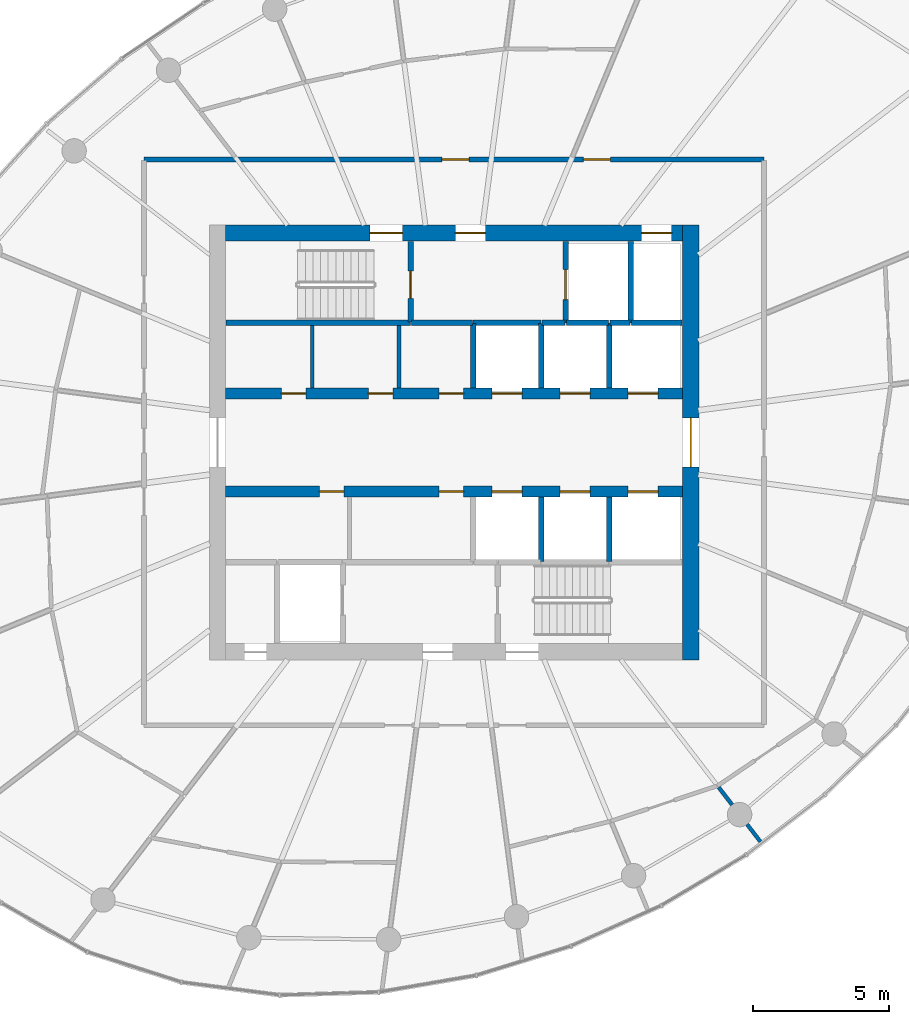
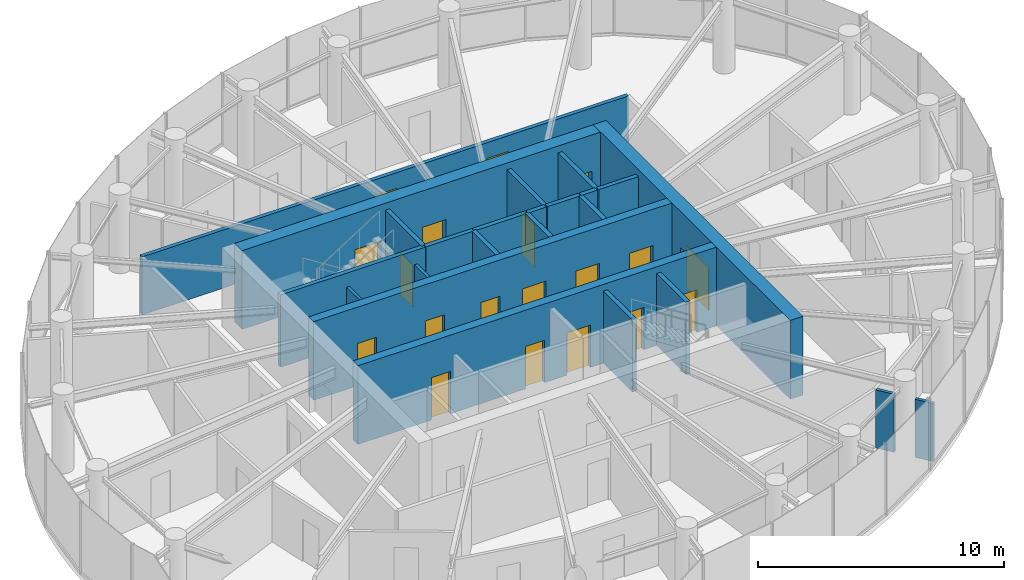
# One storey, part 11 of 15: 24 walls, 19 doors, 19 openings.
"""IFC4 building model written with IfcOpenShell, lengths in metres."""

from ifc_helpers import new_model, si_unit, direction, frame, frame_2d, origin, place, context, subcontext, project, spatial, rectangle, extrude, source, transform, mapped, material, layer, layer_set, type_object, element, fill, save


model = new_model("IFC4")

# Units and contexts
model_context = context("Model", 3, precision=1e-05, world=origin(), true_north=direction((0.0, 1.0)))
body_context = subcontext(model_context, "Body", "Model", "MODEL_VIEW")
ifc_project = project(units=[si_unit("LENGTHUNIT", "METRE"), si_unit("AREAUNIT", "SQUARE_METRE"), si_unit("VOLUMEUNIT", "CUBIC_METRE"), si_unit("PLANEANGLEUNIT", "RADIAN"), si_unit("MASSUNIT", "GRAM", prefix="KILO")], contexts=[model_context])

# Site, building, storey
site_placement = place(None, origin())
site = spatial("IfcSite", under=ifc_project, at=site_placement, CompositionType="ELEMENT")
building_placement = place(site_placement, origin())
building = spatial("IfcBuilding", under=site, at=building_placement, Name="Spindrift Exchange Tower", CompositionType="ELEMENT")
storey_placement = place(building_placement, frame((0.0, 0.0, 195.5)))
storey = spatial("IfcBuildingStorey", under=building, at=storey_placement, Name="L47", CompositionType="ELEMENT", Elevation=195.5)

# Wall, opening, door
ifc_material_1 = material(Name="Concrete 50 MPa", Category="concrete")
ifc_layer_1 = layer(ifc_material_1, 0.60009765625)
ifc_layer_set_1 = layer_set([ifc_layer_1], Name="RC Core Wall 600 Concrete 50 MPa")
wall_type_1 = type_object("IfcWallType", Name="RC Core Wall 600 Concrete 50 MPa", PredefinedType="SHEAR", material=ifc_layer_set_1)
wall_1_placement = place(storey_placement, frame((60.699951171875, 40.0, 0.0), z_axis=(0.0, 0.0, 1.0), x_axis=(0.0, 1.0, 0.0)))
wall_1 = element("IfcWall", 1, at=wall_1_placement, inside=storey, type_object=wall_type_1, Name="Core wall E L47", PredefinedType="SHEAR", context=body_context, shape_type="SweptSolid", body=[
    extrude(rectangle(XDim=16.0, YDim=0.60009765625, at=frame_2d((8.0, 0.0))), origin(), (0.0, 0.0, 1.0), 3.89990234375),
])
opening_1_placement = place(wall_1_placement, frame((7.10009765625, 0.0, 0.0)))
opening_1 = element("IfcOpeningElement", 2, at=opening_1_placement, cuts=wall_1, Name="Opening L47-D2", PredefinedType="OPENING", context=body_context, shape_type="SweptSolid", body=[
    extrude(rectangle(XDim=1.800048828125, YDim=2.10009765625, at=frame_2d((0.89990234375, 1.050048828125))), frame((0.0, 0.31005859375, 0.0), z_axis=(0.0, -1.0, 0.0), x_axis=(1.0, 0.0, 0.0)), (0.0, 0.0, 1.0), 0.6201171875),
])
ifc_material_2 = material(Name="Timber-core fire door", Category="wood")
door_type_1 = type_object("IfcDoorType", Name="DR-LOBBY-1800", OperationType="NOTDEFINED", PredefinedType="DOOR", material=ifc_material_2)
shared_shape_1 = source(origin(), body_context, "Body", "SweptSolid", [
    extrude(rectangle(XDim=1.800048828125, YDim=2.10009765625, at=frame_2d((0.89990234375, 1.050048828125))), frame((0.0, 0.02490234375, 0.0), z_axis=(0.0, -1.0, 0.0), x_axis=(1.0, 0.0, 0.0)), (0.0, 0.0, 1.0), 0.050048828125),
])
door_1_placement = place(opening_1_placement, origin())
door_1 = element("IfcDoor", 3, at=door_1_placement, inside=storey, type_object=door_type_1, Name="L47 Lobby door 2", OperationType="SINGLE_SWING_RIGHT", OverallHeight=2.10009765625, OverallWidth=1.800048828125, PredefinedType="DOOR", context=body_context, shape_type="MappedRepresentation", body=[
    mapped(shared_shape_1, transform((0.0, 0.0, 0.0), scale=1.0)),
])
fill(opening_1, door_1)

# Wall, openings, doors
wall_2_placement = place(storey_placement, frame((60.39990234375, 55.699951171875, 0.0), z_axis=(0.0, 0.0, 1.0), x_axis=(-1.0, 0.0, 0.0)))
wall_2 = element("IfcWall", 4, at=wall_2_placement, inside=storey, type_object=wall_type_1, Name="Core wall N L47", PredefinedType="SHEAR", context=body_context, shape_type="SweptSolid", body=[
    extrude(rectangle(XDim=16.7998046875, YDim=0.60009765625, at=frame_2d((8.39990234375, 0.0))), origin(), (0.0, 0.0, 1.0), 3.89990234375),
])
opening_2_placement = place(wall_2_placement, frame((0.39990234375, 0.0, 0.0)))
opening_2 = element("IfcOpeningElement", 5, at=opening_2_placement, cuts=wall_2, Name="Opening L47-D11", PredefinedType="OPENING", context=body_context, shape_type="SweptSolid", body=[
    extrude(rectangle(XDim=1.10009765625, YDim=2.10009765625, at=frame_2d((0.550048828125, 1.050048828125))), frame((0.0, 0.31005859375, 0.0), z_axis=(0.0, -1.0, 0.0), x_axis=(1.0, 0.0, 0.0)), (0.0, 0.0, 1.0), 0.6201171875),
])
opening_3_placement = place(wall_2_placement, frame((10.300048828125, 0.0, 0.0)))
opening_3 = element("IfcOpeningElement", 6, at=opening_3_placement, cuts=wall_2, Name="Opening L47-D12", PredefinedType="OPENING", context=body_context, shape_type="SweptSolid", body=[
    extrude(rectangle(XDim=1.199951171875, YDim=2.10009765625, at=frame_2d((0.60009765625, 1.050048828125))), frame((0.0, 0.31005859375, 0.0), z_axis=(0.0, -1.0, 0.0), x_axis=(1.0, 0.0, 0.0)), (0.0, 0.0, 1.0), 0.6201171875),
])
opening_4_placement = place(wall_2_placement, frame((7.25, 0.0, 0.0)))
opening_4 = element("IfcOpeningElement", 7, at=opening_4_placement, cuts=wall_2, Name="Opening L47-D14", PredefinedType="OPENING", context=body_context, shape_type="SweptSolid", body=[
    extrude(rectangle(XDim=1.10009765625, YDim=2.10009765625, at=frame_2d((0.550048828125, 1.050048828125))), frame((0.0, 0.31005859375, 0.0), z_axis=(0.0, -1.0, 0.0), x_axis=(1.0, 0.0, 0.0)), (0.0, 0.0, 1.0), 0.6201171875),
])
ifc_material_3 = material(Name="Stainless steel landing door", Category="steel")
door_type_2 = type_object("IfcDoorType", Name="DR-LANDING-1100-SL", OperationType="DOUBLE_DOOR_SLIDING", PredefinedType="USERDEFINED", material=ifc_material_3)
shared_shape_2 = source(origin(), body_context, "Body", "SweptSolid", [
    extrude(rectangle(XDim=1.10009765625, YDim=2.10009765625, at=frame_2d((0.550048828125, 1.050048828125))), frame((0.0, 0.02490234375, 0.0), z_axis=(0.0, -1.0, 0.0), x_axis=(1.0, 0.0, 0.0)), (0.0, 0.0, 1.0), 0.050048828125),
])
door_2_placement = place(opening_2_placement, origin())
door_2 = element("IfcDoor", 8, at=door_2_placement, inside=storey, type_object=door_type_2, Name="L47 Lift landing door 11", ObjectType="LANDING DOOR", OperationType="DOUBLE_DOOR_SLIDING", OverallHeight=2.10009765625, OverallWidth=1.10009765625, PredefinedType="USERDEFINED", context=body_context, shape_type="MappedRepresentation", body=[
    mapped(shared_shape_2, transform((0.0, 0.0, 0.0), scale=1.0)),
])
fill(opening_2, door_2)
ifc_material_4 = material(Name="Steel fire door", Category="steel")
door_type_3 = type_object("IfcDoorType", Name="DR-STAIR-1200", OperationType="NOTDEFINED", PredefinedType="DOOR", material=ifc_material_4)
shared_shape_3 = source(origin(), body_context, "Body", "SweptSolid", [
    extrude(rectangle(XDim=1.199951171875, YDim=2.10009765625, at=frame_2d((0.60009765625, 1.050048828125))), frame((0.0, 0.02490234375, 0.0), z_axis=(0.0, -1.0, 0.0), x_axis=(1.0, 0.0, 0.0)), (0.0, 0.0, 1.0), 0.050048828125),
])
door_3_placement = place(opening_3_placement, origin())
door_3 = element("IfcDoor", 9, at=door_3_placement, inside=storey, type_object=door_type_3, Name="L47 Stair door 12", OperationType="SINGLE_SWING_LEFT", OverallHeight=2.10009765625, OverallWidth=1.199951171875, PredefinedType="DOOR", context=body_context, shape_type="MappedRepresentation", body=[
    mapped(shared_shape_3, transform((0.0, 0.0, 0.0), scale=1.0)),
])
fill(opening_3, door_3)
door_type_4 = type_object("IfcDoorType", Name="DR-LOBBY-1100", OperationType="NOTDEFINED", PredefinedType="DOOR", material=ifc_material_2)
shared_shape_4 = source(origin(), body_context, "Body", "SweptSolid", [
    extrude(rectangle(XDim=1.10009765625, YDim=2.10009765625, at=frame_2d((0.550048828125, 1.050048828125))), frame((0.0, 0.02490234375, 0.0), z_axis=(0.0, -1.0, 0.0), x_axis=(1.0, 0.0, 0.0)), (0.0, 0.0, 1.0), 0.050048828125),
])
door_4_placement = place(opening_4_placement, origin())
door_4 = element("IfcDoor", 10, at=door_4_placement, inside=storey, type_object=door_type_4, Name="L47 Lobby door 14", OperationType="SINGLE_SWING_LEFT", OverallHeight=2.10009765625, OverallWidth=1.10009765625, PredefinedType="DOOR", context=body_context, shape_type="MappedRepresentation", body=[
    mapped(shared_shape_4, transform((0.0, 0.0, 0.0), scale=1.0)),
])
fill(opening_4, door_4)

ifc_layer_2 = layer(ifc_material_1, 0.39990234375)
ifc_layer_set_2 = layer_set([ifc_layer_2], Name="RC Spine Wall 400 Concrete 50 MPa")
wall_type_2 = type_object("IfcWallType", Name="RC Spine Wall 400 Concrete 50 MPa", PredefinedType="SHEAR", material=ifc_layer_set_2)
wall_3_placement = place(storey_placement, frame((43.60009765625, 49.800048828125, 0.0), z_axis=(0.0, 0.0, 1.0), x_axis=(1.0, 0.0, 0.0)))
wall_3 = element("IfcWall", 11, at=wall_3_placement, inside=storey, type_object=wall_type_2, Name="Core spine wall N L47", PredefinedType="SHEAR", context=body_context, shape_type="SweptSolid", body=[
    extrude(rectangle(XDim=16.7998046875, YDim=0.39990234375, at=frame_2d((8.39990234375, 0.0))), origin(), (0.0, 0.0, 1.0), 3.89990234375),
])
opening_5_placement = place(wall_3_placement, frame((9.800048828125, 0.0, 0.0)))
opening_5 = element("IfcOpeningElement", 12, at=opening_5_placement, cuts=wall_3, Name="Opening L47-D3", PredefinedType="OPENING", context=body_context, shape_type="SweptSolid", body=[
    extrude(rectangle(XDim=1.10009765625, YDim=2.10009765625, at=frame_2d((0.550048828125, 1.050048828125))), frame((0.0, 0.2099609375, 0.0), z_axis=(0.0, -1.0, 0.0), x_axis=(1.0, 0.0, 0.0)), (0.0, 0.0, 1.0), 0.419921875),
])
opening_6_placement = place(wall_3_placement, frame((12.300048828125, 0.0, 0.0)))
opening_6 = element("IfcOpeningElement", 13, at=opening_6_placement, cuts=wall_3, Name="Opening L47-D4", PredefinedType="OPENING", context=body_context, shape_type="SweptSolid", body=[
    extrude(rectangle(XDim=1.10009765625, YDim=2.10009765625, at=frame_2d((0.550048828125, 1.050048828125))), frame((0.0, 0.2099609375, 0.0), z_axis=(0.0, -1.0, 0.0), x_axis=(1.0, 0.0, 0.0)), (0.0, 0.0, 1.0), 0.419921875),
])
opening_7_placement = place(wall_3_placement, frame((14.800048828125, 0.0, 0.0)))
opening_7 = element("IfcOpeningElement", 14, at=opening_7_placement, cuts=wall_3, Name="Opening L47-D5", PredefinedType="OPENING", context=body_context, shape_type="SweptSolid", body=[
    extrude(rectangle(XDim=1.10009765625, YDim=2.10009765625, at=frame_2d((0.550048828125, 1.050048828125))), frame((0.0, 0.2099609375, 0.0), z_axis=(0.0, -1.0, 0.0), x_axis=(1.0, 0.0, 0.0)), (0.0, 0.0, 1.0), 0.419921875),
])
opening_8_placement = place(wall_3_placement, frame((2.050048828125, 0.0, 0.0)))
opening_8 = element("IfcOpeningElement", 15, at=opening_8_placement, cuts=wall_3, Name="Opening L47-D46", PredefinedType="OPENING", context=body_context, shape_type="SweptSolid", body=[
    extrude(rectangle(XDim=0.89990234375, YDim=2.10009765625, at=frame_2d((0.449951171875, 1.050048828125))), frame((0.0, 0.2099609375, 0.0), z_axis=(0.0, -1.0, 0.0), x_axis=(1.0, 0.0, 0.0)), (0.0, 0.0, 1.0), 0.419921875),
])
opening_9_placement = place(wall_3_placement, frame((5.25, 0.0, 0.0)))
opening_9 = element("IfcOpeningElement", 16, at=opening_9_placement, cuts=wall_3, Name="Opening L47-D47", PredefinedType="OPENING", context=body_context, shape_type="SweptSolid", body=[
    extrude(rectangle(XDim=0.89990234375, YDim=2.10009765625, at=frame_2d((0.449951171875, 1.050048828125))), frame((0.0, 0.2099609375, 0.0), z_axis=(0.0, -1.0, 0.0), x_axis=(1.0, 0.0, 0.0)), (0.0, 0.0, 1.0), 0.419921875),
])
opening_10_placement = place(wall_3_placement, frame((7.85009765625, 0.0, 0.0)))
opening_10 = element("IfcOpeningElement", 17, at=opening_10_placement, cuts=wall_3, Name="Opening L47-D48", PredefinedType="OPENING", context=body_context, shape_type="SweptSolid", body=[
    extrude(rectangle(XDim=0.89990234375, YDim=2.10009765625, at=frame_2d((0.449951171875, 1.050048828125))), frame((0.0, 0.2099609375, 0.0), z_axis=(0.0, -1.0, 0.0), x_axis=(1.0, 0.0, 0.0)), (0.0, 0.0, 1.0), 0.419921875),
])
door_5_placement = place(opening_5_placement, origin())
door_5 = element("IfcDoor", 18, at=door_5_placement, inside=storey, type_object=door_type_2, Name="L47 Lift landing door 3", ObjectType="LANDING DOOR", OperationType="DOUBLE_DOOR_SLIDING", OverallHeight=2.10009765625, OverallWidth=1.10009765625, PredefinedType="USERDEFINED", context=body_context, shape_type="MappedRepresentation", body=[
    mapped(shared_shape_2, transform((0.0, 0.0, 0.0), scale=1.0)),
])
fill(opening_5, door_5)
door_6_placement = place(opening_6_placement, origin())
door_6 = element("IfcDoor", 19, at=door_6_placement, inside=storey, type_object=door_type_2, Name="L47 Lift landing door 4", ObjectType="LANDING DOOR", OperationType="DOUBLE_DOOR_SLIDING", OverallHeight=2.10009765625, OverallWidth=1.10009765625, PredefinedType="USERDEFINED", context=body_context, shape_type="MappedRepresentation", body=[
    mapped(shared_shape_2, transform((0.0, 0.0, 0.0), scale=1.0)),
])
fill(opening_6, door_6)
door_7_placement = place(opening_7_placement, origin())
door_7 = element("IfcDoor", 20, at=door_7_placement, inside=storey, type_object=door_type_2, Name="L47 Lift landing door 5", ObjectType="LANDING DOOR", OperationType="DOUBLE_DOOR_SLIDING", OverallHeight=2.10009765625, OverallWidth=1.10009765625, PredefinedType="USERDEFINED", context=body_context, shape_type="MappedRepresentation", body=[
    mapped(shared_shape_2, transform((0.0, 0.0, 0.0), scale=1.0)),
])
fill(opening_7, door_7)
ifc_material_5 = material(Name="Steel access door", Category="steel")
door_type_5 = type_object("IfcDoorType", Name="DR-RISER-900", OperationType="NOTDEFINED", PredefinedType="DOOR", material=ifc_material_5)
shared_shape_5 = source(origin(), body_context, "Body", "SweptSolid", [
    extrude(rectangle(XDim=0.89990234375, YDim=2.10009765625, at=frame_2d((0.449951171875, 1.050048828125))), frame((0.0, 0.02490234375, 0.0), z_axis=(0.0, -1.0, 0.0), x_axis=(1.0, 0.0, 0.0)), (0.0, 0.0, 1.0), 0.050048828125),
])
door_8_placement = place(opening_8_placement, origin())
door_8 = element("IfcDoor", 21, at=door_8_placement, inside=storey, type_object=door_type_5, Name="L47 Riser door 46", OperationType="SINGLE_SWING_LEFT", OverallHeight=2.10009765625, OverallWidth=0.89990234375, PredefinedType="DOOR", context=body_context, shape_type="MappedRepresentation", body=[
    mapped(shared_shape_5, transform((0.0, 0.0, 0.0), scale=1.0)),
])
fill(opening_8, door_8)
door_9_placement = place(opening_9_placement, origin())
door_9 = element("IfcDoor", 22, at=door_9_placement, inside=storey, type_object=door_type_5, Name="L47 Riser door 47", OperationType="SINGLE_SWING_RIGHT", OverallHeight=2.10009765625, OverallWidth=0.89990234375, PredefinedType="DOOR", context=body_context, shape_type="MappedRepresentation", body=[
    mapped(shared_shape_5, transform((0.0, 0.0, 0.0), scale=1.0)),
])
fill(opening_9, door_9)
door_10_placement = place(opening_10_placement, origin())
door_10 = element("IfcDoor", 23, at=door_10_placement, inside=storey, type_object=door_type_5, Name="L47 Riser door 48", OperationType="SINGLE_SWING_LEFT", OverallHeight=2.10009765625, OverallWidth=0.89990234375, PredefinedType="DOOR", context=body_context, shape_type="MappedRepresentation", body=[
    mapped(shared_shape_5, transform((0.0, 0.0, 0.0), scale=1.0)),
])
fill(opening_10, door_10)

wall_4_placement = place(storey_placement, frame((43.60009765625, 46.199951171875, 0.0), z_axis=(0.0, 0.0, 1.0), x_axis=(1.0, 0.0, 0.0)))
wall_4 = element("IfcWall", 24, at=wall_4_placement, inside=storey, type_object=wall_type_2, Name="Core spine wall S L47", PredefinedType="SHEAR", context=body_context, shape_type="SweptSolid", body=[
    extrude(rectangle(XDim=16.7998046875, YDim=0.39990234375, at=frame_2d((8.39990234375, 0.0))), origin(), (0.0, 0.0, 1.0), 3.89990234375),
])
opening_11_placement = place(wall_4_placement, frame((9.800048828125, 0.0, 0.0)))
opening_11 = element("IfcOpeningElement", 25, at=opening_11_placement, cuts=wall_4, Name="Opening L47-D6", PredefinedType="OPENING", context=body_context, shape_type="SweptSolid", body=[
    extrude(rectangle(XDim=1.10009765625, YDim=2.10009765625, at=frame_2d((0.550048828125, 1.050048828125))), frame((0.0, 0.2099609375, 0.0), z_axis=(0.0, -1.0, 0.0), x_axis=(1.0, 0.0, 0.0)), (0.0, 0.0, 1.0), 0.419921875),
])
opening_12_placement = place(wall_4_placement, frame((12.300048828125, 0.0, 0.0)))
opening_12 = element("IfcOpeningElement", 26, at=opening_12_placement, cuts=wall_4, Name="Opening L47-D7", PredefinedType="OPENING", context=body_context, shape_type="SweptSolid", body=[
    extrude(rectangle(XDim=1.10009765625, YDim=2.10009765625, at=frame_2d((0.550048828125, 1.050048828125))), frame((0.0, 0.2099609375, 0.0), z_axis=(0.0, -1.0, 0.0), x_axis=(1.0, 0.0, 0.0)), (0.0, 0.0, 1.0), 0.419921875),
])
opening_13_placement = place(wall_4_placement, frame((14.800048828125, 0.0, 0.0)))
opening_13 = element("IfcOpeningElement", 27, at=opening_13_placement, cuts=wall_4, Name="Opening L47-D8", PredefinedType="OPENING", context=body_context, shape_type="SweptSolid", body=[
    extrude(rectangle(XDim=1.10009765625, YDim=2.10009765625, at=frame_2d((0.550048828125, 1.050048828125))), frame((0.0, 0.2099609375, 0.0), z_axis=(0.0, -1.0, 0.0), x_axis=(1.0, 0.0, 0.0)), (0.0, 0.0, 1.0), 0.419921875),
])
opening_14_placement = place(wall_4_placement, frame((3.449951171875, 0.0, 0.0)))
opening_14 = element("IfcOpeningElement", 28, at=opening_14_placement, cuts=wall_4, Name="Opening L47-D49", PredefinedType="OPENING", context=body_context, shape_type="SweptSolid", body=[
    extrude(rectangle(XDim=0.89990234375, YDim=2.10009765625, at=frame_2d((0.449951171875, 1.050048828125))), frame((0.0, 0.2099609375, 0.0), z_axis=(0.0, -1.0, 0.0), x_axis=(1.0, 0.0, 0.0)), (0.0, 0.0, 1.0), 0.419921875),
])
opening_15_placement = place(wall_4_placement, frame((7.85009765625, 0.0, 0.0)))
opening_15 = element("IfcOpeningElement", 29, at=opening_15_placement, cuts=wall_4, Name="Opening L47-D50", PredefinedType="OPENING", context=body_context, shape_type="SweptSolid", body=[
    extrude(rectangle(XDim=0.89990234375, YDim=2.10009765625, at=frame_2d((0.449951171875, 1.050048828125))), frame((0.0, 0.2099609375, 0.0), z_axis=(0.0, -1.0, 0.0), x_axis=(1.0, 0.0, 0.0)), (0.0, 0.0, 1.0), 0.419921875),
])
door_11_placement = place(opening_11_placement, origin())
door_11 = element("IfcDoor", 30, at=door_11_placement, inside=storey, type_object=door_type_2, Name="L47 Lift landing door 6", ObjectType="LANDING DOOR", OperationType="DOUBLE_DOOR_SLIDING", OverallHeight=2.10009765625, OverallWidth=1.10009765625, PredefinedType="USERDEFINED", context=body_context, shape_type="MappedRepresentation", body=[
    mapped(shared_shape_2, transform((0.0, 0.0, 0.0), scale=1.0)),
])
fill(opening_11, door_11)
door_12_placement = place(opening_12_placement, origin())
door_12 = element("IfcDoor", 31, at=door_12_placement, inside=storey, type_object=door_type_2, Name="L47 Lift landing door 7", ObjectType="LANDING DOOR", OperationType="DOUBLE_DOOR_SLIDING", OverallHeight=2.10009765625, OverallWidth=1.10009765625, PredefinedType="USERDEFINED", context=body_context, shape_type="MappedRepresentation", body=[
    mapped(shared_shape_2, transform((0.0, 0.0, 0.0), scale=1.0)),
])
fill(opening_12, door_12)
door_13_placement = place(opening_13_placement, origin())
door_13 = element("IfcDoor", 32, at=door_13_placement, inside=storey, type_object=door_type_2, Name="L47 Lift landing door 8", ObjectType="LANDING DOOR", OperationType="DOUBLE_DOOR_SLIDING", OverallHeight=2.10009765625, OverallWidth=1.10009765625, PredefinedType="USERDEFINED", context=body_context, shape_type="MappedRepresentation", body=[
    mapped(shared_shape_2, transform((0.0, 0.0, 0.0), scale=1.0)),
])
fill(opening_13, door_13)
door_14_placement = place(opening_14_placement, origin())
door_14 = element("IfcDoor", 33, at=door_14_placement, inside=storey, type_object=door_type_5, Name="L47 Riser door 49", OperationType="SINGLE_SWING_RIGHT", OverallHeight=2.10009765625, OverallWidth=0.89990234375, PredefinedType="DOOR", context=body_context, shape_type="MappedRepresentation", body=[
    mapped(shared_shape_5, transform((0.0, 0.0, 0.0), scale=1.0)),
])
fill(opening_14, door_14)
door_15_placement = place(opening_15_placement, origin())
door_15 = element("IfcDoor", 34, at=door_15_placement, inside=storey, type_object=door_type_5, Name="L47 Riser door 50", OperationType="SINGLE_SWING_LEFT", OverallHeight=2.10009765625, OverallWidth=0.89990234375, PredefinedType="DOOR", context=body_context, shape_type="MappedRepresentation", body=[
    mapped(shared_shape_5, transform((0.0, 0.0, 0.0), scale=1.0)),
])
fill(opening_15, door_15)

ifc_material_6 = material(Name="Fire-rated plasterboard partition", Category="gypsum")
ifc_layer_3 = layer(ifc_material_6, 0.179931640625)
ifc_layer_set_3 = layer_set([ifc_layer_3], Name="W-CORR-180")
wall_type_3 = type_object("IfcWallType", Name="W-CORR-180", PredefinedType="PARTITIONING", material=ifc_layer_set_3)
wall_5_placement = place(storey_placement, frame((40.60009765625, 58.39990234375, 0.0), z_axis=(0.0, 0.0, 1.0), x_axis=(1.0, 0.0, 0.0)))
wall_5 = element("IfcWall", 35, at=wall_5_placement, inside=storey, type_object=wall_type_3, Name="L47 Partition wall 27", PredefinedType="PARTITIONING", context=body_context, shape_type="SweptSolid", body=[
    extrude(rectangle(XDim=22.7998046875, YDim=0.179931640625, at=frame_2d((11.39990234375, 0.0))), origin(), (0.0, 0.0, 1.0), 2.8798828125),
])
opening_16_placement = place(wall_5_placement, frame((16.14990234375, 0.0, 0.0)))
opening_16 = element("IfcOpeningElement", 36, at=opening_16_placement, cuts=wall_5, Name="Opening L47-D39", PredefinedType="OPENING", context=body_context, shape_type="SweptSolid", body=[
    extrude(rectangle(XDim=1.0, YDim=2.10009765625, at=frame_2d((0.5, 1.050048828125))), frame((0.0, 0.099853515625, 0.0), z_axis=(0.0, -1.0, 0.0), x_axis=(1.0, 0.0, 0.0)), (0.0, 0.0, 1.0), 0.199951171875),
])
opening_17_placement = place(wall_5_placement, frame((10.949951171875, 0.0, 0.0)))
opening_17 = element("IfcOpeningElement", 37, at=opening_17_placement, cuts=wall_5, Name="Opening L47-D40", PredefinedType="OPENING", context=body_context, shape_type="SweptSolid", body=[
    extrude(rectangle(XDim=1.0, YDim=2.10009765625, at=frame_2d((0.5, 1.050048828125))), frame((0.0, 0.099853515625, 0.0), z_axis=(0.0, -1.0, 0.0), x_axis=(1.0, 0.0, 0.0)), (0.0, 0.0, 1.0), 0.199951171875),
])
door_type_6 = type_object("IfcDoorType", Name="DR-ROOM-1000", OperationType="NOTDEFINED", PredefinedType="DOOR", material=ifc_material_2)
shared_shape_6 = source(origin(), body_context, "Body", "SweptSolid", [
    extrude(rectangle(XDim=1.0, YDim=2.10009765625, at=frame_2d((0.5, 1.050048828125))), frame((0.0, 0.02490234375, 0.0), z_axis=(0.0, -1.0, 0.0), x_axis=(1.0, 0.0, 0.0)), (0.0, 0.0, 1.0), 0.050048828125),
])
door_16_placement = place(opening_16_placement, origin())
door_16 = element("IfcDoor", 38, at=door_16_placement, inside=storey, type_object=door_type_6, Name="L47 Door 39", OperationType="SINGLE_SWING_RIGHT", OverallHeight=2.10009765625, OverallWidth=1.0, PredefinedType="DOOR", context=body_context, shape_type="MappedRepresentation", body=[
    mapped(shared_shape_6, transform((0.0, 0.0, 0.0), scale=1.0)),
])
fill(opening_16, door_16)
door_17_placement = place(opening_17_placement, origin())
door_17 = element("IfcDoor", 39, at=door_17_placement, inside=storey, type_object=door_type_6, Name="L47 Door 40", OperationType="SINGLE_SWING_LEFT", OverallHeight=2.10009765625, OverallWidth=1.0, PredefinedType="DOOR", context=body_context, shape_type="MappedRepresentation", body=[
    mapped(shared_shape_6, transform((0.0, 0.0, 0.0), scale=1.0)),
])
fill(opening_17, door_17)

# Walls
ifc_layer_4 = layer(ifc_material_6, 0.139892578125)
ifc_layer_set_4 = layer_set([ifc_layer_4], Name="W-PART-140")
wall_type_4 = type_object("IfcWallType", Name="W-PART-140", PredefinedType="PARTITIONING", material=ifc_layer_set_4)
for number, where, z_axis, x_axis, name in (
    (40, (46.784912109375, 50.010009765625, 0.0), (0.0, 0.0, 1.0), (0.0, 1.0, 0.0), "L47 Partition wall 69"),
    (41, (49.969970703125, 50.010009765625, 0.0), (0.0, 0.0, 1.0), (0.0, 1.0, 0.0), "L47 Partition wall 71"),
):
    element("IfcWall", number, at=place(storey_placement, frame(where, z_axis=z_axis, x_axis=x_axis)), inside=storey, type_object=wall_type_4, Name=name, PredefinedType="PARTITIONING", context=body_context, shape_type="SweptSolid", body=[
        extrude(rectangle(XDim=2.2900390625, YDim=0.139892578125, at=frame_2d((1.14501953125, 0.0))), origin(), (0.0, 0.0, 1.0), 2.8798828125),
    ])
wall_6_placement = place(storey_placement, frame((61.73046875, 35.319091796875, 0.0), z_axis=(0.0, 0.0, 1.0), x_axis=(0.608659697441, -0.793431391307, 0.0)))
element("IfcWall", 42, at=wall_6_placement, inside=storey, type_object=wall_type_4, Name="L47 Partition wall 93", PredefinedType="PARTITIONING", context=body_context, shape_type="SweptSolid", body=[
    extrude(rectangle(XDim=0.80859375, YDim=0.139892578125, at=frame_2d((0.404296875, 0.0))), origin(), (0.0, 0.0, 1.0), 2.8798828125),
])
wall_7_placement = place(storey_placement, frame((62.77587890625, 33.956298828125, 0.0), z_axis=(0.0, 0.0, 1.0), x_axis=(0.608783126566, -0.793336690698, 0.0)))
element("IfcWall", 43, at=wall_7_placement, inside=storey, type_object=wall_type_4, Name="L47 Partition wall 96", PredefinedType="PARTITIONING", context=body_context, shape_type="SweptSolid", body=[
    extrude(rectangle(XDim=0.8017578125, YDim=0.139892578125, at=frame_2d((0.40087890625, 0.0))), origin(), (0.0, 0.0, 1.0), 2.8798828125),
])

# Wall, opening, door
ifc_material_7 = material(Name="Concrete 40 MPa", Category="concrete")
ifc_layer_5 = layer(ifc_material_7, 0.199951171875)
ifc_layer_set_5 = layer_set([ifc_layer_5], Name="W-SHAFT-200")
wall_type_5 = type_object("IfcWallType", Name="W-SHAFT-200", PredefinedType="SOLIDWALL", material=ifc_layer_set_5)
wall_8_placement = place(storey_placement, frame((56.10009765625, 55.3798828125, 0.0), z_axis=(0.0, 0.0, 1.0), x_axis=(0.0, -1.0, 0.0)))
wall_8 = element("IfcWall", 44, at=wall_8_placement, inside=storey, type_object=wall_type_5, Name="L47 Shaft wall 7", PredefinedType="SOLIDWALL", context=body_context, shape_type="SweptSolid", body=[
    extrude(rectangle(XDim=2.97998046875, YDim=0.199951171875, at=frame_2d((1.489990234375, 0.0))), origin(), (0.0, 0.0, 1.0), 3.580078125),
])
opening_18_placement = place(wall_8_placement, frame((1.030029296875, 0.0, 0.0)))
opening_18 = element("IfcOpeningElement", 45, at=opening_18_placement, cuts=wall_8, Name="Opening L47-D9", PredefinedType="OPENING", context=body_context, shape_type="SweptSolid", body=[
    extrude(rectangle(XDim=1.10009765625, YDim=2.10009765625, at=frame_2d((0.550048828125, 1.050048828125))), frame((0.0, 0.10986328125, 0.0), z_axis=(0.0, -1.0, 0.0), x_axis=(1.0, 0.0, 0.0)), (0.0, 0.0, 1.0), 0.219970703125),
])
door_18_placement = place(opening_18_placement, origin())
door_18 = element("IfcDoor", 46, at=door_18_placement, inside=storey, type_object=door_type_2, Name="L47 Lift landing door 9", ObjectType="LANDING DOOR", OperationType="DOUBLE_DOOR_SLIDING", OverallHeight=2.10009765625, OverallWidth=1.10009765625, PredefinedType="USERDEFINED", context=body_context, shape_type="MappedRepresentation", body=[
    mapped(shared_shape_2, transform((0.0, 0.0, 0.0), scale=1.0)),
])
fill(opening_18, door_18)

# Walls
wall_9_placement = place(storey_placement, frame((58.5, 52.39990234375, 0.0), z_axis=(0.0, 0.0, 1.0), x_axis=(0.0, 1.0, 0.0)))
element("IfcWall", 47, at=wall_9_placement, inside=storey, type_object=wall_type_5, Name="L47 Shaft wall 8", PredefinedType="SOLIDWALL", context=body_context, shape_type="SweptSolid", body=[
    extrude(rectangle(XDim=2.97998046875, YDim=0.199951171875, at=frame_2d((1.489990234375, 0.0))), origin(), (0.0, 0.0, 1.0), 3.580078125),
])
wall_10_placement = place(storey_placement, frame((55.199951171875, 52.39990234375, 0.0), z_axis=(0.0, 0.0, 1.0), x_axis=(-1.0, 0.0, 0.0)))
element("IfcWall", 48, at=wall_10_placement, inside=storey, type_object=wall_type_5, Name="L47 Shaft wall 10", PredefinedType="SOLIDWALL", context=body_context, shape_type="SweptSolid", body=[
    extrude(rectangle(XDim=2.5, YDim=0.199951171875, at=frame_2d((1.25, 0.0))), origin(), (0.0, 0.0, 1.0), 3.580078125),
])
for number, where, z_axis, x_axis, name in (
    (49, (52.699951171875, 52.3701171875, 0.0), (0.0, 0.0, 1.0), (0.0, -1.0, 0.0), "L47 Shaft wall 14"),
    (50, (55.199951171875, 50.010009765625, 0.0), (0.0, 0.0, 1.0), (0.0, 1.0, 0.0), "L47 Shaft wall 16"),
):
    element("IfcWall", number, at=place(storey_placement, frame(where, z_axis=z_axis, x_axis=x_axis)), inside=storey, type_object=wall_type_5, Name=name, PredefinedType="SOLIDWALL", context=body_context, shape_type="SweptSolid", body=[
        extrude(rectangle(XDim=2.360107421875, YDim=0.199951171875, at=frame_2d((1.18017578125, 0.0))), origin(), (0.0, 0.0, 1.0), 3.580078125),
    ])
wall_11_placement = place(storey_placement, frame((57.699951171875, 50.010009765625, 0.0), z_axis=(0.0, 0.0, 1.0), x_axis=(0.0, 1.0, 0.0)))
element("IfcWall", 51, at=wall_11_placement, inside=storey, type_object=wall_type_5, Name="L47 Shaft wall 18", PredefinedType="SOLIDWALL", context=body_context, shape_type="SweptSolid", body=[
    extrude(rectangle(XDim=2.389892578125, YDim=0.199951171875, at=frame_2d((1.19482421875, 0.0))), origin(), (0.0, 0.0, 1.0), 3.580078125),
])
wall_12_placement = place(storey_placement, frame((60.3798828125, 52.39990234375, 0.0), z_axis=(0.0, 0.0, 1.0), x_axis=(-1.0, 0.0, 0.0)))
element("IfcWall", 52, at=wall_12_placement, inside=storey, type_object=wall_type_5, Name="L47 Shaft wall 21", PredefinedType="SOLIDWALL", context=body_context, shape_type="SweptSolid", body=[
    extrude(rectangle(XDim=1.849853515625, YDim=0.199951171875, at=frame_2d((0.9248046875, 0.0))), origin(), (0.0, 0.0, 1.0), 3.580078125),
])
wall_13_placement = place(storey_placement, frame((57.669921875, 52.39990234375, 0.0), z_axis=(0.0, 0.0, 1.0), x_axis=(-1.0, 0.0, 0.0)))
element("IfcWall", 53, at=wall_13_placement, inside=storey, type_object=wall_type_5, Name="L47 Shaft wall 23", PredefinedType="SOLIDWALL", context=body_context, shape_type="SweptSolid", body=[
    extrude(rectangle(XDim=1.5400390625, YDim=0.199951171875, at=frame_2d((0.77001953125, 0.0))), origin(), (0.0, 0.0, 1.0), 3.580078125),
])
wall_14_placement = place(storey_placement, frame((56.070068359375, 52.39990234375, 0.0), z_axis=(0.0, 0.0, 1.0), x_axis=(-1.0, 0.0, 0.0)))
element("IfcWall", 54, at=wall_14_placement, inside=storey, type_object=wall_type_5, Name="L47 Shaft wall 25", PredefinedType="SOLIDWALL", context=body_context, shape_type="SweptSolid", body=[
    extrude(rectangle(XDim=0.840087890625, YDim=0.199951171875, at=frame_2d((0.419921875, 0.0))), origin(), (0.0, 0.0, 1.0), 3.580078125),
])
wall_15_placement = place(storey_placement, frame((58.469970703125, 52.39990234375, 0.0), z_axis=(0.0, 0.0, 1.0), x_axis=(-1.0, 0.0, 0.0)))
element("IfcWall", 55, at=wall_15_placement, inside=storey, type_object=wall_type_5, Name="L47 Shaft wall 26", PredefinedType="SOLIDWALL", context=body_context, shape_type="SweptSolid", body=[
    extrude(rectangle(XDim=0.739990234375, YDim=0.199951171875, at=frame_2d((0.3701171875, 0.0))), origin(), (0.0, 0.0, 1.0), 3.580078125),
])
ifc_layer_6 = layer(ifc_material_7, 0.199951171875)
ifc_layer_set_6 = layer_set([ifc_layer_6], Name="W-SHAFT-200-LB")
wall_type_6 = type_object("IfcWallType", Name="W-SHAFT-200-LB", PredefinedType="SOLIDWALL", material=ifc_layer_set_6)
wall_16_placement = place(storey_placement, frame((43.6201171875, 52.39990234375, 0.0), z_axis=(0.0, 0.0, 1.0), x_axis=(1.0, 0.0, 0.0)))
element("IfcWall", 56, at=wall_16_placement, inside=storey, type_object=wall_type_6, Name="L47 Shaft wall 1", PredefinedType="SOLIDWALL", context=body_context, shape_type="SweptSolid", body=[
    extrude(rectangle(XDim=6.77978515625, YDim=0.199951171875, at=frame_2d((3.389892578125, 0.0))), origin(), (0.0, 0.0, 1.0), 3.580078125),
])

# Wall, opening, door
wall_17_placement = place(storey_placement, frame((50.39990234375, 52.429931640625, 0.0), z_axis=(0.0, 0.0, 1.0), x_axis=(0.0, 1.0, 0.0)))
wall_17 = element("IfcWall", 57, at=wall_17_placement, inside=storey, type_object=wall_type_6, Name="L47 Shaft wall 5", PredefinedType="SOLIDWALL", context=body_context, shape_type="SweptSolid", body=[
    extrude(rectangle(XDim=2.949951171875, YDim=0.199951171875, at=frame_2d((1.47509765625, 0.0))), origin(), (0.0, 0.0, 1.0), 3.580078125),
])
opening_19_placement = place(wall_17_placement, frame((0.8701171875, 0.0, 0.0)))
opening_19 = element("IfcOpeningElement", 58, at=opening_19_placement, cuts=wall_17, Name="Opening L47-D13", PredefinedType="OPENING", context=body_context, shape_type="SweptSolid", body=[
    extrude(rectangle(XDim=1.0, YDim=2.10009765625, at=frame_2d((0.5, 1.050048828125))), frame((0.0, 0.10986328125, 0.0), z_axis=(0.0, -1.0, 0.0), x_axis=(1.0, 0.0, 0.0)), (0.0, 0.0, 1.0), 0.219970703125),
])
door_type_7 = type_object("IfcDoorType", Name="DR-STAIR-1000", OperationType="NOTDEFINED", PredefinedType="DOOR", material=ifc_material_4)
shared_shape_7 = source(origin(), body_context, "Body", "SweptSolid", [
    extrude(rectangle(XDim=1.0, YDim=2.10009765625, at=frame_2d((0.5, 1.050048828125))), frame((0.0, 0.02490234375, 0.0), z_axis=(0.0, -1.0, 0.0), x_axis=(1.0, 0.0, 0.0)), (0.0, 0.0, 1.0), 0.050048828125),
])
door_19_placement = place(opening_19_placement, origin())
door_19 = element("IfcDoor", 59, at=door_19_placement, inside=storey, type_object=door_type_7, Name="L47 Stair door 13", OperationType="SINGLE_SWING_RIGHT", OverallHeight=2.10009765625, OverallWidth=1.0, PredefinedType="DOOR", context=body_context, shape_type="MappedRepresentation", body=[
    mapped(shared_shape_7, transform((0.0, 0.0, 0.0), scale=1.0)),
])
fill(opening_19, door_19)

# Walls
for number, where, z_axis, x_axis, name in (
    (60, (55.199951171875, 43.6298828125, 0.0), (0.0, 0.0, 1.0), (0.0, 1.0, 0.0), "L47 Shaft wall 15"),
    (61, (57.699951171875, 43.6298828125, 0.0), (0.0, 0.0, 1.0), (0.0, 1.0, 0.0), "L47 Shaft wall 17"),
):
    element("IfcWall", number, at=place(storey_placement, frame(where, z_axis=z_axis, x_axis=x_axis)), inside=storey, type_object=wall_type_6, Name=name, PredefinedType="SOLIDWALL", context=body_context, shape_type="SweptSolid", body=[
        extrude(rectangle(XDim=2.360107421875, YDim=0.199951171875, at=frame_2d((1.18017578125, 0.0))), origin(), (0.0, 0.0, 1.0), 3.580078125),
    ])
wall_18_placement = place(storey_placement, frame((50.429931640625, 52.39990234375, 0.0), z_axis=(0.0, 0.0, 1.0), x_axis=(1.0, 0.0, 0.0)))
element("IfcWall", 62, at=wall_18_placement, inside=storey, type_object=wall_type_6, Name="L47 Shaft wall 19", PredefinedType="SOLIDWALL", context=body_context, shape_type="SweptSolid", body=[
    extrude(rectangle(XDim=2.239990234375, YDim=0.199951171875, at=frame_2d((1.1201171875, 0.0))), origin(), (0.0, 0.0, 1.0), 3.580078125),
])

save(model, "model.ifc")
